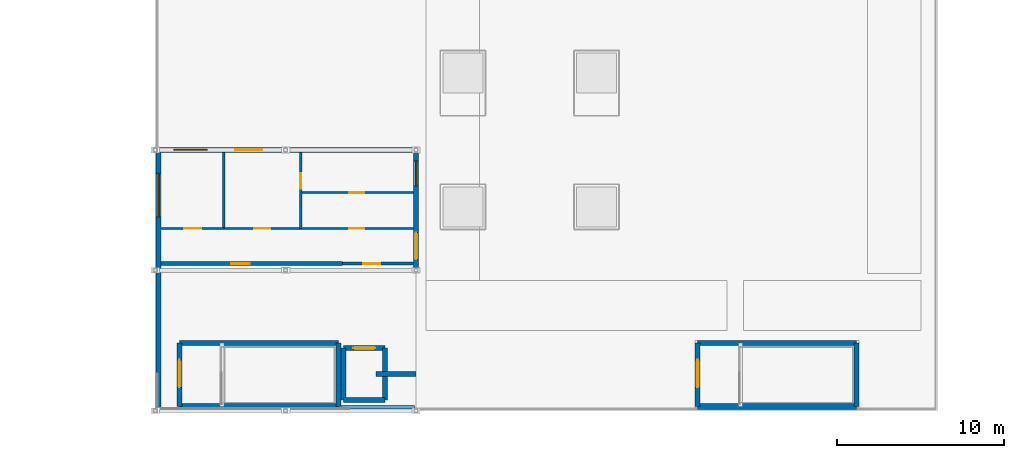
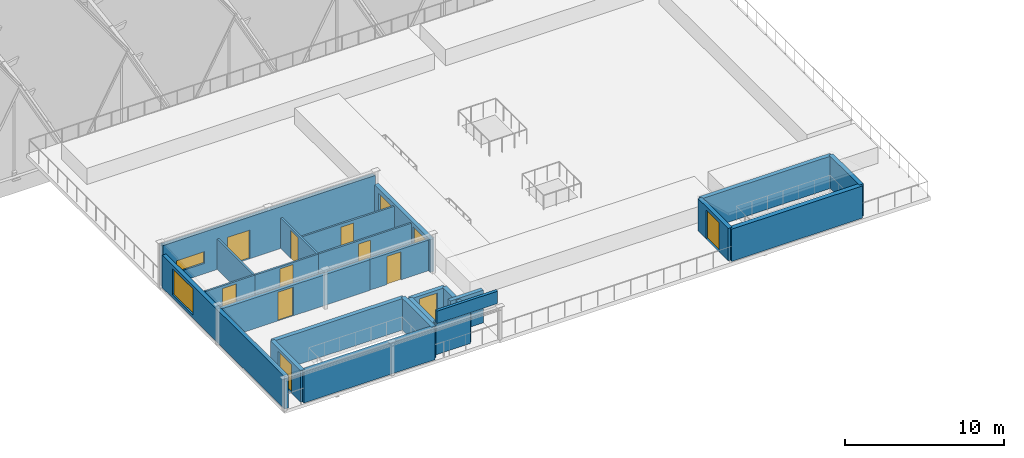
# One storey, part 35 of 39: 25 walls, 12 doors, 3 windows, 15 openings.
"""IFC4 building model written with IfcOpenShell, lengths in metres."""

import ifcopenshell
import ifcopenshell.guid

model = None  # the IFC model being written
_history = None  # IfcOwnerHistory: only IFC2X3 demands one
_inside = {}  # id of a spatial element -> (the spatial element, [elements in it])
_under = {}  # id of a project, library or spatial element -> (it, [spatial elements below it])
_declared = {}  # id of a project -> (the project, [libraries it declares])
_typed = {}  # id of a type object -> (the type object, [elements of that type])
_made_of = {}  # id of a material, layer set ... -> (it, [elements and type objects made of it])


def new_model(schema):
    """Start an empty IFC model of exactly this schema.

    Asked for "IFC4X3", IfcOpenShell would pick the latest addendum, in which some entities
    have other attributes; the version numbers below select the first issue.
    IFC2X3 requires an IfcOwnerHistory on every rooted entity: one is made here for all.
    """
    global model, _history
    if schema == "IFC4X3":
        model = ifcopenshell.file(schema_version=(4, 3, 0, 0))
    else:
        model = ifcopenshell.file(schema=schema)
    _inside.clear()
    _under.clear()
    _declared.clear()
    _typed.clear()
    _made_of.clear()
    _history = None
    if model.schema == "IFC2X3":
        org = make("IfcOrganization", Name="unknown")
        user = make(
            "IfcPersonAndOrganization",
            ThePerson=make("IfcPerson", FamilyName="unknown"),
            TheOrganization=org,
        )
        app = make(
            "IfcApplication",
            ApplicationDeveloper=org,
            Version="unknown",
            ApplicationFullName="unknown",
            ApplicationIdentifier="unknown",
        )
        _history = make(
            "IfcOwnerHistory",
            OwningUser=user,
            OwningApplication=app,
            ChangeAction="ADDED",
            CreationDate=0,
        )
    return model


def make(cls, **values):
    """One entity of the class cls with the attributes given. An attribute that is None is left unset."""
    return model.create_entity(
        cls, **{name: value for name, value in values.items() if value is not None}
    )


def rooted(cls, **values):
    """An entity with a GlobalId (a new one), such as an element, a storey or a relation."""
    return make(cls, GlobalId=ifcopenshell.guid.new(), OwnerHistory=_history, **values)


def si_unit(unit_type, name, prefix=None):
    """IfcSIUnit, for example si_unit("LENGTHUNIT", "METRE", prefix="MILLI")."""
    return make("IfcSIUnit", UnitType=unit_type, Prefix=prefix, Name=name)


def assignment(units):
    """IfcUnitAssignment: the units of a project."""
    return None if units is None else make("IfcUnitAssignment", Units=units)


def point(xyz):
    """IfcCartesianPoint."""
    return None if xyz is None else make("IfcCartesianPoint", Coordinates=xyz)


def direction(xyz):
    """IfcDirection."""
    return None if xyz is None else make("IfcDirection", DirectionRatios=xyz)


def frame(location, z_axis=None, x_axis=None):
    """IfcAxis2Placement3D, a coordinate frame: its origin and axes. An axis left out is left unset."""
    return make(
        "IfcAxis2Placement3D",
        Location=point(location),
        Axis=direction(z_axis),
        RefDirection=direction(x_axis),
    )


def frame_2d(location, x_axis=None):
    """IfcAxis2Placement2D, a coordinate frame in the plane: its origin and x axis."""
    return make(
        "IfcAxis2Placement2D", Location=point(location), RefDirection=direction(x_axis)
    )


def origin():
    """The frame at (0, 0, 0) with its axes left unset."""
    return frame((0.0, 0.0, 0.0))


def place(relative_to, where):
    """IfcLocalPlacement: puts the frame where relative to a parent placement (None: the world)."""
    return make(
        "IfcLocalPlacement", PlacementRelTo=relative_to, RelativePlacement=where
    )


def context(
    kind, dimensions, precision=None, world=None, true_north=None, identifier=None
):
    """IfcGeometricRepresentationContext, for example the 3D "Model" context."""
    return make(
        "IfcGeometricRepresentationContext",
        ContextIdentifier=identifier,
        ContextType=kind,
        CoordinateSpaceDimension=dimensions,
        Precision=precision,
        WorldCoordinateSystem=world,
        TrueNorth=true_north,
    )


def subcontext(parent, identifier, kind, view, scale=None):
    """IfcGeometricRepresentationSubContext, for example "Body" below "Model"."""
    return make(
        "IfcGeometricRepresentationSubContext",
        ContextIdentifier=identifier,
        ContextType=kind,
        ParentContext=parent,
        TargetScale=scale,
        TargetView=view,
    )


def project(units=None, contexts=None):
    """IfcProject with its units and contexts."""
    return rooted(
        "IfcProject",
        Name="project",
        RepresentationContexts=contexts,
        UnitsInContext=assignment(units),
    )


def spatial(cls, under=None, at=None, **own):
    """A site, building, storey or space (cls), placed at a placement, below another one or the project."""
    s = rooted(cls, ObjectPlacement=at, **own)
    if under is not None:
        _under.setdefault(under.id(), (under, []))[1].append(s)
    return s


def profile(cls, at=None, kind="AREA", **sizes):
    """A parametric profile (cls). Its sizes go by their IFC names, for example OverallWidth=200.0."""
    return make(cls, ProfileType=kind, Position=at, **sizes)


def rectangle(**sizes):
    """IfcRectangleProfileDef."""
    return profile("IfcRectangleProfileDef", **sizes)


def extrude(swept, where, along, depth):
    """IfcExtrudedAreaSolid: the profile swept, set in the frame where, extruded along a direction by depth."""
    return make(
        "IfcExtrudedAreaSolid",
        SweptArea=swept,
        Position=where,
        ExtrudedDirection=direction(along),
        Depth=depth,
    )


def shape(context_of_items, identifier, shape_type, items):
    """IfcShapeRepresentation: the items that make up one representation, for example the "Body"."""
    return make(
        "IfcShapeRepresentation",
        ContextOfItems=context_of_items,
        RepresentationIdentifier=identifier,
        RepresentationType=shape_type,
        Items=items,
    )


def material(Name=None, Category=None):
    """IfcMaterial."""
    return make("IfcMaterial", Name=Name, Category=Category)


def layer(
    of_material, thickness, ventilated=None, Name=None, Category=None, Priority=None
):
    """IfcMaterialLayer: one layer of a wall or slab, of a material (None: an air gap)."""
    return make(
        "IfcMaterialLayer",
        Material=of_material,
        LayerThickness=thickness,
        IsVentilated=ventilated,
        Name=Name,
        Category=Category,
        Priority=Priority,
    )


def layer_set(layers, Name=None):
    """IfcMaterialLayerSet."""
    return make("IfcMaterialLayerSet", MaterialLayers=layers, LayerSetName=Name)


def made_of(thing, what):
    """Note that an element or type object is made of a material, layer set ...; save() writes the relation."""
    if what is not None:
        _made_of.setdefault(what.id(), (what, []))[1].append(thing)
    return thing


def type_object(cls, material=None, **own):
    """A type object (cls), such as IfcWallType, which elements share."""
    return made_of(rooted(cls, **own), material)


def element(
    cls,
    number,
    at=None,
    inside=None,
    cuts=None,
    type_object=None,
    material=None,
    context=None,
    identifier="Body",
    shape_type=None,
    held_by="IfcProductDefinitionShape",
    body=None,
    shapes=None,
    **own,
):
    """One element of the class cls, such as IfcWall. Its Tag is "e" and its number.

    at: its placement. inside: the storey or other place that contains it. cuts: it is an
    opening in that element (IfcRelVoidsElement). A single representation is given by context,
    identifier, shape_type and body (its items); several are given by shapes. held_by: the class
    of the entity that holds the representations. save() writes the other relations.
    """
    e = rooted(cls, Tag="e%d" % number, ObjectPlacement=at, **own)
    if body is not None:
        shapes = [shape(context, identifier, shape_type, body)]
    if shapes is not None:
        e.Representation = make(held_by, Representations=shapes)
    if inside is not None:
        _inside.setdefault(inside.id(), (inside, []))[1].append(e)
    if cuts is not None:
        rooted(
            "IfcRelVoidsElement", RelatingBuildingElement=cuts, RelatedOpeningElement=e
        )
    if type_object is not None:
        _typed.setdefault(type_object.id(), (type_object, []))[1].append(e)
    return made_of(e, material)


def fill(opening, filler):
    """IfcRelFillsElement: the door or window that sits in an opening."""
    return rooted(
        "IfcRelFillsElement",
        RelatingOpeningElement=opening,
        RelatedBuildingElement=filler,
    )


def aggregate(whole, parts):
    """IfcRelAggregates: a whole, such as a stair, and the parts it consists of."""
    return rooted("IfcRelAggregates", RelatingObject=whole, RelatedObjects=parts)


def save(model, path):
    """Write the relations noted so far, then the file.

    IfcRelAggregates (storeys below a building ...), IfcRelContainedInSpatialStructure (elements
    in a storey), IfcRelDefinesByType, IfcRelAssociatesMaterial and IfcRelDeclares: one each for
    every whole, place, type object, material and project.
    """
    for whole, parts in _under.values():
        aggregate(whole, parts)
    for where, things in _inside.values():
        rooted(
            "IfcRelContainedInSpatialStructure",
            RelatedElements=things,
            RelatingStructure=where,
        )
    for kind, things in _typed.values():
        rooted("IfcRelDefinesByType", RelatedObjects=things, RelatingType=kind)
    for what, things in _made_of.values():
        rooted("IfcRelAssociatesMaterial", RelatedObjects=things, RelatingMaterial=what)
    for by, libraries in _declared.values():
        rooted("IfcRelDeclares", RelatingContext=by, RelatedDefinitions=libraries)
    model.write(path)


model = new_model("IFC4")

# Units and contexts
model_context = context("Model", 3, precision=1e-05, world=origin(), true_north=direction((0.0, 1.0)))
body_context = subcontext(model_context, "Body", "Model", "MODEL_VIEW")
ifc_project = project(units=[si_unit("LENGTHUNIT", "METRE"), si_unit("AREAUNIT", "SQUARE_METRE"), si_unit("VOLUMEUNIT", "CUBIC_METRE"), si_unit("PLANEANGLEUNIT", "RADIAN"), si_unit("MASSUNIT", "GRAM", prefix="KILO")], contexts=[model_context])

# Site, building, storey
site_placement = place(None, origin())
site = spatial("IfcSite", under=ifc_project, at=site_placement, CompositionType="ELEMENT")
building_placement = place(site_placement, origin())
building = spatial("IfcBuilding", under=site, at=building_placement, Name="Tizgana Railside Sports Hall", CompositionType="ELEMENT")
storey_placement = place(building_placement, frame((0.0, 0.0, 23.699951171875)))
storey = spatial("IfcBuildingStorey", under=building, at=storey_placement, Name="RF", CompositionType="ELEMENT", Elevation=23.699951171875)

# Wall
ifc_material_1 = material(Name="Concrete C40/50", Category="concrete")
ifc_layer_1 = layer(ifc_material_1, 0.300048828125, Name="Concrete C40/50")
ifc_layer_set_1 = layer_set([ifc_layer_1], Name="Concrete C40/50")
wall_type_1 = type_object("IfcWallType", Name="Core Shear Wall 300", PredefinedType="SHEAR", material=ifc_layer_set_1)
wall_1_placement = place(storey_placement, frame((9.25, 4.050048828125, 0.0), z_axis=(0.0, 0.0, 1.0), x_axis=(1.0, 0.0, 0.0)))
element("IfcWall", 1, at=wall_1_placement, inside=storey, type_object=wall_type_1, Name="RF C1 Shaft Wall N", PredefinedType="SHEAR", context=body_context, shape_type="SweptSolid", body=[
    extrude(rectangle(XDim=9.5, YDim=0.300048828125, at=frame_2d((4.75, 0.0))), origin(), (0.0, 0.0, 1.0), 2.420166015625),
])

# Wall, opening, door
wall_2_placement = place(storey_placement, frame((9.25, 0.25, 0.0), z_axis=(0.0, 0.0, 1.0), x_axis=(0.0, 1.0, 0.0)))
wall_2 = element("IfcWall", 2, at=wall_2_placement, inside=storey, type_object=wall_type_1, Name="RF C1 Shaft Wall W", PredefinedType="SHEAR", context=body_context, shape_type="SweptSolid", body=[
    extrude(rectangle(XDim=3.800048828125, YDim=0.300048828125, at=frame_2d((1.89990234375, 0.0))), origin(), (0.0, 0.0, 1.0), 2.420166015625),
])
opening_1_placement = place(wall_2_placement, frame((1.14990234375, 0.0, 0.0)))
opening_1 = element("IfcOpeningElement", 3, at=opening_1_placement, cuts=wall_2, Name="Opening D-0043", PredefinedType="OPENING", context=body_context, shape_type="SweptSolid", body=[
    extrude(rectangle(XDim=1.64990234375, YDim=2.199951171875, at=frame_2d((0.824951171875, 1.10009765625))), frame((0.0, 0.159912109375, 0.0), z_axis=(0.0, -1.0, 0.0), x_axis=(1.0, 0.0, 0.0)), (0.0, 0.0, 1.0), 0.320068359375),
])
ifc_material_2 = material(Name="Timber fire leaf", Category="wood")
door_type_1 = type_object("IfcDoorType", Name="Stair Core Double Fire Door 1650x2200", OperationType="NOTDEFINED", PredefinedType="DOOR", material=ifc_material_2)
door_1_placement = place(opening_1_placement, origin())
door_1 = element("IfcDoor", 4, at=door_1_placement, inside=storey, type_object=door_type_1, Name="RF Door D-0043", OperationType="DOUBLE_DOOR_SINGLE_SWING", OverallHeight=2.199951171875, OverallWidth=1.64990234375, PredefinedType="DOOR", context=body_context, shape_type="SweptSolid", body=[
    extrude(rectangle(XDim=1.64990234375, YDim=2.199951171875, at=frame_2d((0.824951171875, 1.10009765625))), frame((0.0, 0.02490234375, 0.0), z_axis=(0.0, -1.0, 0.0), x_axis=(1.0, 0.0, 0.0)), (0.0, 0.0, 1.0), 0.050048828125),
])
fill(opening_1, door_1)

# Walls
wall_3_placement = place(storey_placement, frame((18.75, 0.25, 0.0), z_axis=(0.0, 0.0, 1.0), x_axis=(0.0, 1.0, 0.0)))
element("IfcWall", 5, at=wall_3_placement, inside=storey, type_object=wall_type_1, Name="RF C1 Shaft Wall E", PredefinedType="SHEAR", context=body_context, shape_type="SweptSolid", body=[
    extrude(rectangle(XDim=3.800048828125, YDim=0.300048828125, at=frame_2d((1.89990234375, 0.0))), origin(), (0.0, 0.0, 1.0), 2.420166015625),
])
wall_4_placement = place(storey_placement, frame((19.050048828125, 0.64990234375, 0.0), z_axis=(0.0, 0.0, 1.0), x_axis=(1.0, 0.0, 0.0)))
element("IfcWall", 6, at=wall_4_placement, inside=storey, type_object=wall_type_1, Name="RF LF-01 Shaft Wall S", PredefinedType="SHEAR", context=body_context, shape_type="SweptSolid", body=[
    extrude(rectangle(XDim=2.5, YDim=0.300048828125, at=frame_2d((1.25, 0.0))), origin(), (0.0, 0.0, 1.0), 2.420166015625),
])

# Wall, opening, door
wall_5_placement = place(storey_placement, frame((19.050048828125, 3.75, 0.0), z_axis=(0.0, 0.0, 1.0), x_axis=(1.0, 0.0, 0.0)))
wall_5 = element("IfcWall", 7, at=wall_5_placement, inside=storey, type_object=wall_type_1, Name="RF LF-01 Shaft Wall N", PredefinedType="SHEAR", context=body_context, shape_type="SweptSolid", body=[
    extrude(rectangle(XDim=2.5, YDim=0.300048828125, at=frame_2d((1.25, 0.0))), origin(), (0.0, 0.0, 1.0), 2.420166015625),
])
opening_2_placement = place(wall_5_placement, frame((0.60009765625, 0.0, 0.0)))
opening_2 = element("IfcOpeningElement", 8, at=opening_2_placement, cuts=wall_5, Name="Opening D-0049", PredefinedType="OPENING", context=body_context, shape_type="SweptSolid", body=[
    extrude(rectangle(XDim=1.300048828125, YDim=2.199951171875, at=frame_2d((0.64990234375, 1.10009765625))), frame((0.0, 0.159912109375, 0.0), z_axis=(0.0, -1.0, 0.0), x_axis=(1.0, 0.0, 0.0)), (0.0, 0.0, 1.0), 0.320068359375),
])
ifc_material_3 = material(Name="Brushed stainless steel", Category="steel")
door_type_2 = type_object("IfcDoorType", Name="Stretcher Lift Sliding Door 1300x2200", OperationType="NOTDEFINED", PredefinedType="DOOR", material=ifc_material_3)
door_2_placement = place(opening_2_placement, origin())
door_2 = element("IfcDoor", 9, at=door_2_placement, inside=storey, type_object=door_type_2, Name="RF Door D-0049", OperationType="DOUBLE_DOOR_SLIDING", OverallHeight=2.199951171875, OverallWidth=1.300048828125, PredefinedType="DOOR", context=body_context, shape_type="SweptSolid", body=[
    extrude(rectangle(XDim=1.300048828125, YDim=2.199951171875, at=frame_2d((0.64990234375, 1.10009765625))), frame((0.0, 0.02490234375, 0.0), z_axis=(0.0, -1.0, 0.0), x_axis=(1.0, 0.0, 0.0)), (0.0, 0.0, 1.0), 0.050048828125),
])
fill(opening_2, door_2)

# Walls
for number, where, z_axis, x_axis, name in (
    (10, (19.050048828125, 0.64990234375, 0.0), (0.0, 0.0, 1.0), (0.0, 1.0, 0.0), "RF LF-01 Shaft Wall W"),
    (11, (21.550048828125, 0.64990234375, 0.0), (0.0, 0.0, 1.0), (0.0, 1.0, 0.0), "RF LF-01 Shaft Wall E"),
):
    element("IfcWall", number, at=place(storey_placement, frame(where, z_axis=z_axis, x_axis=x_axis)), inside=storey, type_object=wall_type_1, Name=name, PredefinedType="SHEAR", context=body_context, shape_type="SweptSolid", body=[
        extrude(rectangle(XDim=3.10009765625, YDim=0.300048828125, at=frame_2d((1.550048828125, 0.0))), origin(), (0.0, 0.0, 1.0), 2.420166015625),
    ])
wall_6_placement = place(storey_placement, frame((40.25, 4.050048828125, 0.0), z_axis=(0.0, 0.0, 1.0), x_axis=(1.0, 0.0, 0.0)))
element("IfcWall", 12, at=wall_6_placement, inside=storey, type_object=wall_type_1, Name="RF C2 Shaft Wall N", PredefinedType="SHEAR", context=body_context, shape_type="SweptSolid", body=[
    extrude(rectangle(XDim=9.5, YDim=0.300048828125, at=frame_2d((4.75, 0.0))), origin(), (0.0, 0.0, 1.0), 2.469970703125),
])

# Wall, opening, door
wall_7_placement = place(storey_placement, frame((40.25, 0.25, 0.0), z_axis=(0.0, 0.0, 1.0), x_axis=(0.0, 1.0, 0.0)))
wall_7 = element("IfcWall", 13, at=wall_7_placement, inside=storey, type_object=wall_type_1, Name="RF C2 Shaft Wall W", PredefinedType="SHEAR", context=body_context, shape_type="SweptSolid", body=[
    extrude(rectangle(XDim=3.800048828125, YDim=0.300048828125, at=frame_2d((1.89990234375, 0.0))), origin(), (0.0, 0.0, 1.0), 2.469970703125),
])
opening_3_placement = place(wall_7_placement, frame((1.14990234375, 0.0, 0.0)))
opening_3 = element("IfcOpeningElement", 14, at=opening_3_placement, cuts=wall_7, Name="Opening D-0056", PredefinedType="OPENING", context=body_context, shape_type="SweptSolid", body=[
    extrude(rectangle(XDim=1.64990234375, YDim=2.199951171875, at=frame_2d((0.824951171875, 1.10009765625))), frame((0.0, 0.159912109375, 0.0), z_axis=(0.0, -1.0, 0.0), x_axis=(1.0, 0.0, 0.0)), (0.0, 0.0, 1.0), 0.320068359375),
])
door_3_placement = place(opening_3_placement, origin())
door_3 = element("IfcDoor", 15, at=door_3_placement, inside=storey, type_object=door_type_1, Name="RF Door D-0056", OperationType="DOUBLE_DOOR_SINGLE_SWING", OverallHeight=2.199951171875, OverallWidth=1.64990234375, PredefinedType="DOOR", context=body_context, shape_type="SweptSolid", body=[
    extrude(rectangle(XDim=1.64990234375, YDim=2.199951171875, at=frame_2d((0.824951171875, 1.10009765625))), frame((0.0, 0.02490234375, 0.0), z_axis=(0.0, -1.0, 0.0), x_axis=(1.0, 0.0, 0.0)), (0.0, 0.0, 1.0), 0.050048828125),
])
fill(opening_3, door_3)

# Walls
wall_8_placement = place(storey_placement, frame((49.75, 0.25, 0.0), z_axis=(0.0, 0.0, 1.0), x_axis=(0.0, 1.0, 0.0)))
element("IfcWall", 16, at=wall_8_placement, inside=storey, type_object=wall_type_1, Name="RF C2 Shaft Wall E", PredefinedType="SHEAR", context=body_context, shape_type="SweptSolid", body=[
    extrude(rectangle(XDim=3.800048828125, YDim=0.300048828125, at=frame_2d((1.89990234375, 0.0))), origin(), (0.0, 0.0, 1.0), 2.469970703125),
])
ifc_material_4 = material(Name="Concrete C35/45", Category="concrete")
ifc_layer_2 = layer(ifc_material_4, 0.340087890625, Name="Concrete C35/45")
ifc_layer_set_2 = layer_set([ifc_layer_2], Name="Concrete C35/45")
wall_type_2 = type_object("IfcWallType", Name="Exterior Insulated Concrete Wall 340", PredefinedType="STANDARD", material=ifc_layer_set_2)
wall_9_placement = place(storey_placement, frame((18.75, 0.25, 0.0), z_axis=(0.0, 0.0, 1.0), x_axis=(-1.0, 0.0, 0.0)))
element("IfcWall", 17, at=wall_9_placement, inside=storey, type_object=wall_type_2, Name="RF C1 Shaft Wall S", PredefinedType="STANDARD", context=body_context, shape_type="SweptSolid", body=[
    extrude(rectangle(XDim=9.5, YDim=0.340087890625, at=frame_2d((4.75, 0.0))), origin(), (0.0, 0.0, 1.0), 2.420166015625),
])
wall_10_placement = place(storey_placement, frame((49.75, 0.25, 0.0), z_axis=(0.0, 0.0, 1.0), x_axis=(-1.0, 0.0, 0.0)))
element("IfcWall", 18, at=wall_10_placement, inside=storey, type_object=wall_type_2, Name="RF C2 Shaft Wall S", PredefinedType="STANDARD", context=body_context, shape_type="SweptSolid", body=[
    extrude(rectangle(XDim=9.5, YDim=0.340087890625, at=frame_2d((4.75, 0.0))), origin(), (0.0, 0.0, 1.0), 2.469970703125),
])

# Wall, openings, window, door
ifc_material_5 = material(Name="Cross-laminated timber CL24h", Category="wood")
ifc_layer_3 = layer(ifc_material_5, 0.2900390625, Name="Cross-laminated timber CL24h")
ifc_layer_set_3 = layer_set([ifc_layer_3], Name="Cross-laminated timber CL24h")
wall_type_3 = type_object("IfcWallType", Name="Exterior Timber-Backed Wall 290", PredefinedType="STANDARD", material=ifc_layer_set_3)
wall_11_placement = place(storey_placement, frame((23.39990234375, 15.5, 0.0), z_axis=(0.0, 0.0, 1.0), x_axis=(0.0, -1.0, 0.0)))
wall_11 = element("IfcWall", 19, at=wall_11_placement, inside=storey, type_object=wall_type_3, Name="RF Exterior Wall EWAL-0130", PredefinedType="STANDARD", context=body_context, shape_type="SweptSolid", body=[
    extrude(rectangle(XDim=7.0, YDim=0.2900390625, at=frame_2d((3.5, 0.0))), origin(), (0.0, 0.0, 1.0), 2.5),
])
opening_4_placement = place(wall_11_placement, frame((4.85009765625, 0.0, 0.0)))
opening_4 = element("IfcOpeningElement", 20, at=opening_4_placement, cuts=wall_11, Name="Opening D-0031", PredefinedType="OPENING", context=body_context, shape_type="SweptSolid", body=[
    extrude(rectangle(XDim=1.60009765625, YDim=2.199951171875, at=frame_2d((0.800048828125, 1.10009765625))), frame((0.0, 0.155029296875, 0.0), z_axis=(0.0, -1.0, 0.0), x_axis=(1.0, 0.0, 0.0)), (0.0, 0.0, 1.0), 0.31005859375),
])
opening_5_placement = place(wall_11_placement, frame((0.550048828125, 0.0, 0.550048828125)))
opening_5 = element("IfcOpeningElement", 21, at=opening_5_placement, cuts=wall_11, Name="Opening W-0094", PredefinedType="OPENING", context=body_context, shape_type="SweptSolid", body=[
    extrude(rectangle(XDim=1.5, YDim=1.60009765625, at=frame_2d((0.75, 0.800048828125))), frame((0.0, 0.155029296875, 0.0), z_axis=(0.0, -1.0, 0.0), x_axis=(1.0, 0.0, 0.0)), (0.0, 0.0, 1.0), 0.31005859375),
])
ifc_material_6 = material(Name="Double low-E laminated glass", Category="glass")
window_type_1 = type_object("IfcWindowType", Name="Referees Suite Window 1500x1600", PartitioningType="SINGLE_PANEL", PredefinedType="WINDOW", material=ifc_material_6)
window_1_placement = place(opening_5_placement, origin())
window_1 = element("IfcWindow", 22, at=window_1_placement, inside=storey, type_object=window_type_1, Name="RF Window W-0094", OverallHeight=1.60009765625, OverallWidth=1.5, PartitioningType="SINGLE_PANEL", PredefinedType="WINDOW", context=body_context, shape_type="SweptSolid", body=[
    extrude(rectangle(XDim=1.5, YDim=1.60009765625, at=frame_2d((0.75, 0.800048828125))), frame((0.0, 0.030029296875, 0.0), z_axis=(0.0, -1.0, 0.0), x_axis=(1.0, 0.0, 0.0)), (0.0, 0.0, 1.0), 0.06005859375),
])
fill(opening_5, window_1)
ifc_material_7 = material(Name="Anodised aluminium and glass", Category="aluminium")
door_type_3 = type_object("IfcDoorType", Name="Rooftop Track Pavilion Exit Door 1600x2200", OperationType="NOTDEFINED", PredefinedType="DOOR", material=ifc_material_7)
door_4_placement = place(opening_4_placement, origin())
door_4 = element("IfcDoor", 23, at=door_4_placement, inside=storey, type_object=door_type_3, Name="RF Door D-0031", OperationType="DOUBLE_DOOR_SINGLE_SWING", OverallHeight=2.199951171875, OverallWidth=1.60009765625, PredefinedType="DOOR", context=body_context, shape_type="SweptSolid", body=[
    extrude(rectangle(XDim=1.60009765625, YDim=2.199951171875, at=frame_2d((0.800048828125, 1.10009765625))), frame((0.0, 0.02490234375, 0.0), z_axis=(0.0, -1.0, 0.0), x_axis=(1.0, 0.0, 0.0)), (0.0, 0.0, 1.0), 0.050048828125),
])
fill(opening_4, door_4)

wall_12_placement = place(storey_placement, frame((7.89990234375, 15.60009765625, 0.0), z_axis=(0.0, 0.0, 1.0), x_axis=(1.0, 0.0, 0.0)))
wall_12 = element("IfcWall", 24, at=wall_12_placement, inside=storey, type_object=wall_type_3, Name="RF Exterior Wall EWAL-0131", PredefinedType="STANDARD", context=body_context, shape_type="SweptSolid", body=[
    extrude(rectangle(XDim=15.400146484375, YDim=0.2900390625, at=frame_2d((7.7001953125, 0.0))), origin(), (0.0, 0.0, 1.0), 3.205078125),
])
opening_6_placement = place(wall_12_placement, frame((4.699951171875, 0.0, 0.0)))
opening_6 = element("IfcOpeningElement", 25, at=opening_6_placement, cuts=wall_12, Name="Opening D-0032", PredefinedType="OPENING", context=body_context, shape_type="SweptSolid", body=[
    extrude(rectangle(XDim=1.60009765625, YDim=2.199951171875, at=frame_2d((0.800048828125, 1.10009765625))), frame((0.0, 0.155029296875, 0.0), z_axis=(0.0, -1.0, 0.0), x_axis=(1.0, 0.0, 0.0)), (0.0, 0.0, 1.0), 0.31005859375),
])
opening_7_placement = place(wall_12_placement, frame((1.0, 0.0, 0.800048828125)))
opening_7 = element("IfcOpeningElement", 26, at=opening_7_placement, cuts=wall_12, Name="Opening W-0095", PredefinedType="OPENING", context=body_context, shape_type="SweptSolid", body=[
    extrude(rectangle(XDim=2.0, YDim=0.89990234375, at=frame_2d((1.0, 0.449951171875))), frame((0.0, 0.155029296875, 0.0), z_axis=(0.0, -1.0, 0.0), x_axis=(1.0, 0.0, 0.0)), (0.0, 0.0, 1.0), 0.31005859375),
])
window_type_2 = type_object("IfcWindowType", Name="Changing High-Level Window 2000x900", PartitioningType="SINGLE_PANEL", PredefinedType="WINDOW", material=ifc_material_6)
window_2_placement = place(opening_7_placement, origin())
window_2 = element("IfcWindow", 27, at=window_2_placement, inside=storey, type_object=window_type_2, Name="RF Window W-0095", OverallHeight=0.89990234375, OverallWidth=2.0, PartitioningType="SINGLE_PANEL", PredefinedType="WINDOW", context=body_context, shape_type="SweptSolid", body=[
    extrude(rectangle(XDim=2.0, YDim=0.89990234375, at=frame_2d((1.0, 0.449951171875))), frame((0.0, 0.030029296875, 0.0), z_axis=(0.0, -1.0, 0.0), x_axis=(1.0, 0.0, 0.0)), (0.0, 0.0, 1.0), 0.06005859375),
])
fill(opening_7, window_2)
door_5_placement = place(opening_6_placement, origin())
door_5 = element("IfcDoor", 28, at=door_5_placement, inside=storey, type_object=door_type_3, Name="RF Door D-0032", OperationType="DOUBLE_DOOR_SINGLE_SWING", OverallHeight=2.199951171875, OverallWidth=1.60009765625, PredefinedType="DOOR", context=body_context, shape_type="SweptSolid", body=[
    extrude(rectangle(XDim=1.60009765625, YDim=2.199951171875, at=frame_2d((0.800048828125, 1.10009765625))), frame((0.0, 0.02490234375, 0.0), z_axis=(0.0, -1.0, 0.0), x_axis=(1.0, 0.0, 0.0)), (0.0, 0.0, 1.0), 0.050048828125),
])
fill(opening_6, door_5)

# Wall
wall_13_placement = place(storey_placement, frame((23.39990234375, 2.199951171875, 0.0), z_axis=(0.0, 0.0, 1.0), x_axis=(-1.0, 0.0, 0.0)))
element("IfcWall", 29, at=wall_13_placement, inside=storey, type_object=wall_type_3, Name="RF Exterior Wall EWAL-0132", PredefinedType="STANDARD", context=body_context, shape_type="SweptSolid", body=[
    extrude(rectangle(XDim=2.39990234375, YDim=0.2900390625, at=frame_2d((1.199951171875, 0.0))), origin(), (0.0, 0.0, 1.0), 2.5),
])

# Wall, opening, window
wall_14_placement = place(storey_placement, frame((8.0, 0.10009765625, 0.0), z_axis=(0.0, 0.0, 1.0), x_axis=(0.0, 1.0, 0.0)))
wall_14 = element("IfcWall", 30, at=wall_14_placement, inside=storey, type_object=wall_type_3, Name="RF Exterior Wall EWAL-0133", PredefinedType="STANDARD", context=body_context, shape_type="SweptSolid", body=[
    extrude(rectangle(XDim=15.39990234375, YDim=0.2900390625, at=frame_2d((7.699951171875, 0.0))), origin(), (0.0, 0.0, 1.0), 2.5),
])
opening_8_placement = place(wall_14_placement, frame((11.5, 0.0, 0.25)))
opening_8 = element("IfcOpeningElement", 31, at=opening_8_placement, cuts=wall_14, Name="Opening W-0096", PredefinedType="OPENING", context=body_context, shape_type="SweptSolid", body=[
    extrude(rectangle(XDim=2.60009765625, YDim=2.0, at=frame_2d((1.300048828125, 1.0))), frame((0.0, 0.155029296875, 0.0), z_axis=(0.0, -1.0, 0.0), x_axis=(1.0, 0.0, 0.0)), (0.0, 0.0, 1.0), 0.31005859375),
])
window_type_3 = type_object("IfcWindowType", Name="Track Pavilion Window 2600x2000", PartitioningType="SINGLE_PANEL", PredefinedType="WINDOW", material=ifc_material_6)
window_3_placement = place(opening_8_placement, origin())
window_3 = element("IfcWindow", 32, at=window_3_placement, inside=storey, type_object=window_type_3, Name="RF Window W-0096", OverallHeight=2.0, OverallWidth=2.60009765625, PartitioningType="SINGLE_PANEL", PredefinedType="WINDOW", context=body_context, shape_type="SweptSolid", body=[
    extrude(rectangle(XDim=2.60009765625, YDim=2.0, at=frame_2d((1.300048828125, 1.0))), frame((0.0, 0.030029296875, 0.0), z_axis=(0.0, -1.0, 0.0), x_axis=(1.0, 0.0, 0.0)), (0.0, 0.0, 1.0), 0.06005859375),
])
fill(opening_8, window_3)

# Wall, opening, door
ifc_layer_4 = layer(ifc_material_4, 0.239990234375, Name="Concrete C35/45")
ifc_layer_set_4 = layer_set([ifc_layer_4], Name="Concrete C35/45")
wall_type_4 = type_object("IfcWallType", Name="Firefighting Lobby Wall 240", PredefinedType="STANDARD", material=ifc_layer_set_4)
wall_15_placement = place(storey_placement, frame((8.14990234375, 8.800048828125, 0.0), z_axis=(0.0, 0.0, 1.0), x_axis=(1.0, 0.0, 0.0)))
wall_15 = element("IfcWall", 33, at=wall_15_placement, inside=storey, type_object=wall_type_4, Name="RF Partition PWAL-0308", PredefinedType="STANDARD", context=body_context, shape_type="SweptSolid", body=[
    extrude(rectangle(XDim=10.85009765625, YDim=0.239990234375, at=frame_2d((5.425048828125, 0.0))), origin(), (0.0, 0.0, 1.0), 2.35009765625),
])
opening_9_placement = place(wall_15_placement, frame((4.199951171875, 0.0, 0.0)))
opening_9 = element("IfcOpeningElement", 34, at=opening_9_placement, cuts=wall_15, Name="Opening D-0286", PredefinedType="OPENING", context=body_context, shape_type="SweptSolid", body=[
    extrude(rectangle(XDim=1.10009765625, YDim=2.199951171875, at=frame_2d((0.550048828125, 1.10009765625))), frame((0.0, 0.1298828125, 0.0), z_axis=(0.0, -1.0, 0.0), x_axis=(1.0, 0.0, 0.0)), (0.0, 0.0, 1.0), 0.260009765625),
])
door_type_4 = type_object("IfcDoorType", Name="Firefighting Lobby Fire Door 1100x2200", OperationType="NOTDEFINED", PredefinedType="DOOR", material=ifc_material_2)
door_6_placement = place(opening_9_placement, origin())
door_6 = element("IfcDoor", 35, at=door_6_placement, inside=storey, type_object=door_type_4, Name="RF Door D-0286", OperationType="SINGLE_SWING_LEFT", OverallHeight=2.199951171875, OverallWidth=1.10009765625, PredefinedType="DOOR", context=body_context, shape_type="SweptSolid", body=[
    extrude(rectangle(XDim=1.10009765625, YDim=2.199951171875, at=frame_2d((0.550048828125, 1.10009765625))), frame((0.0, 0.02490234375, 0.0), z_axis=(0.0, -1.0, 0.0), x_axis=(1.0, 0.0, 0.0)), (0.0, 0.0, 1.0), 0.050048828125),
])
fill(opening_9, door_6)

ifc_material_8 = material(Name="Acoustic gypsum stud")
ifc_layer_5 = layer(ifc_material_8, 0.1298828125, Name="Acoustic gypsum stud")
ifc_layer_set_5 = layer_set([ifc_layer_5], Name="Acoustic gypsum stud")
wall_type_5 = type_object("IfcWallType", Name="General Interior Partition 130", PredefinedType="STANDARD", material=ifc_layer_set_5)
wall_16_placement = place(storey_placement, frame((16.5, 10.89990234375, 0.0), z_axis=(0.0, 0.0, 1.0), x_axis=(0.0, 1.0, 0.0)))
wall_16 = element("IfcWall", 36, at=wall_16_placement, inside=storey, type_object=wall_type_5, Name="RF Partition PWAL-0331", PredefinedType="STANDARD", context=body_context, shape_type="SweptSolid", body=[
    extrude(rectangle(XDim=4.550048828125, YDim=0.1298828125, at=frame_2d((2.27490234375, 0.0))), origin(), (0.0, 0.0, 1.0), 2.35009765625),
])
opening_10_placement = place(wall_16_placement, frame((2.3798828125, 0.0, 0.0)))
opening_10 = element("IfcOpeningElement", 37, at=opening_10_placement, cuts=wall_16, Name="Opening D-0297", PredefinedType="OPENING", context=body_context, shape_type="SweptSolid", body=[
    extrude(rectangle(XDim=0.93994140625, YDim=2.14990234375, at=frame_2d((0.469970703125, 1.074951171875))), frame((0.0, 0.074951171875, 0.0), z_axis=(0.0, -1.0, 0.0), x_axis=(1.0, 0.0, 0.0)), (0.0, 0.0, 1.0), 0.14990234375),
])
ifc_material_9 = material(Name="Solid beech timber", Category="wood")
door_type_5 = type_object("IfcDoorType", Name="Timing Room Door 940x2150", OperationType="NOTDEFINED", PredefinedType="DOOR", material=ifc_material_9)
door_7_placement = place(opening_10_placement, origin())
door_7 = element("IfcDoor", 38, at=door_7_placement, inside=storey, type_object=door_type_5, Name="RF Door D-0297", OperationType="SINGLE_SWING_RIGHT", OverallHeight=2.14990234375, OverallWidth=0.93994140625, PredefinedType="DOOR", context=body_context, shape_type="SweptSolid", body=[
    extrude(rectangle(XDim=0.93994140625, YDim=2.14990234375, at=frame_2d((0.469970703125, 1.074951171875))), frame((0.0, 0.02490234375, 0.0), z_axis=(0.0, -1.0, 0.0), x_axis=(1.0, 0.0, 0.0)), (0.0, 0.0, 1.0), 0.050048828125),
])
fill(opening_10, door_7)

wall_17_placement = place(storey_placement, frame((16.5, 13.050048828125, 0.0), z_axis=(0.0, 0.0, 1.0), x_axis=(1.0, 0.0, 0.0)))
wall_17 = element("IfcWall", 39, at=wall_17_placement, inside=storey, type_object=wall_type_5, Name="RF Partition PWAL-0332", PredefinedType="STANDARD", context=body_context, shape_type="SweptSolid", body=[
    extrude(rectangle(XDim=6.75, YDim=0.1298828125, at=frame_2d((3.375, 0.0))), origin(), (0.0, 0.0, 1.0), 2.35009765625),
])
opening_11_placement = place(wall_17_placement, frame((2.89990234375, 0.0, 0.0)))
opening_11 = element("IfcOpeningElement", 40, at=opening_11_placement, cuts=wall_17, Name="Opening D-0298", PredefinedType="OPENING", context=body_context, shape_type="SweptSolid", body=[
    extrude(rectangle(XDim=0.89990234375, YDim=2.10009765625, at=frame_2d((0.449951171875, 1.050048828125))), frame((0.0, 0.074951171875, 0.0), z_axis=(0.0, -1.0, 0.0), x_axis=(1.0, 0.0, 0.0)), (0.0, 0.0, 1.0), 0.14990234375),
])
door_type_6 = type_object("IfcDoorType", Name="Shower Suite Door 900x2100", OperationType="NOTDEFINED", PredefinedType="DOOR", material=ifc_material_9)
door_8_placement = place(opening_11_placement, origin())
door_8 = element("IfcDoor", 41, at=door_8_placement, inside=storey, type_object=door_type_6, Name="RF Door D-0298", OperationType="SINGLE_SWING_LEFT", OverallHeight=2.10009765625, OverallWidth=0.89990234375, PredefinedType="DOOR", context=body_context, shape_type="SweptSolid", body=[
    extrude(rectangle(XDim=0.89990234375, YDim=2.10009765625, at=frame_2d((0.449951171875, 1.050048828125))), frame((0.0, 0.02490234375, 0.0), z_axis=(0.0, -1.0, 0.0), x_axis=(1.0, 0.0, 0.0)), (0.0, 0.0, 1.0), 0.050048828125),
])
fill(opening_11, door_8)

wall_18_placement = place(storey_placement, frame((8.14990234375, 10.89990234375, 0.0), z_axis=(0.0, 0.0, 1.0), x_axis=(1.0, 0.0, 0.0)))
wall_18 = element("IfcWall", 42, at=wall_18_placement, inside=storey, type_object=wall_type_5, Name="RF Partition PWAL-0333", PredefinedType="STANDARD", context=body_context, shape_type="SweptSolid", body=[
    extrude(rectangle(XDim=3.75, YDim=0.1298828125, at=frame_2d((1.875, 0.0))), origin(), (0.0, 0.0, 1.0), 2.35009765625),
])
opening_12_placement = place(wall_18_placement, frame((1.389892578125, 0.0, 0.0)))
opening_12 = element("IfcOpeningElement", 43, at=opening_12_placement, cuts=wall_18, Name="Opening D-0299", PredefinedType="OPENING", context=body_context, shape_type="SweptSolid", body=[
    extrude(rectangle(XDim=1.02001953125, YDim=2.14990234375, at=frame_2d((0.510009765625, 1.074951171875))), frame((0.0, 0.074951171875, 0.0), z_axis=(0.0, -1.0, 0.0), x_axis=(1.0, 0.0, 0.0)), (0.0, 0.0, 1.0), 0.14990234375),
])
door_type_7 = type_object("IfcDoorType", Name="Accessible Changing & WC Door 1020x2150", OperationType="NOTDEFINED", PredefinedType="DOOR", material=ifc_material_9)
door_9_placement = place(opening_12_placement, origin())
door_9 = element("IfcDoor", 44, at=door_9_placement, inside=storey, type_object=door_type_7, Name="RF Door D-0299", OperationType="SINGLE_SWING_RIGHT", OverallHeight=2.14990234375, OverallWidth=1.02001953125, PredefinedType="DOOR", context=body_context, shape_type="SweptSolid", body=[
    extrude(rectangle(XDim=1.02001953125, YDim=2.14990234375, at=frame_2d((0.510009765625, 1.074951171875))), frame((0.0, 0.02490234375, 0.0), z_axis=(0.0, -1.0, 0.0), x_axis=(1.0, 0.0, 0.0)), (0.0, 0.0, 1.0), 0.050048828125),
])
fill(opening_12, door_9)

wall_19_placement = place(storey_placement, frame((11.89990234375, 10.89990234375, 0.0), z_axis=(0.0, 0.0, 1.0), x_axis=(1.0, 0.0, 0.0)))
wall_19 = element("IfcWall", 45, at=wall_19_placement, inside=storey, type_object=wall_type_5, Name="RF Partition PWAL-0334", PredefinedType="STANDARD", context=body_context, shape_type="SweptSolid", body=[
    extrude(rectangle(XDim=4.60009765625, YDim=0.1298828125, at=frame_2d((2.300048828125, 0.0))), origin(), (0.0, 0.0, 1.0), 2.35009765625),
])
opening_13_placement = place(wall_19_placement, frame((1.820068359375, 0.0, 0.0)))
opening_13 = element("IfcOpeningElement", 46, at=opening_13_placement, cuts=wall_19, Name="Opening D-0300", PredefinedType="OPENING", context=body_context, shape_type="SweptSolid", body=[
    extrude(rectangle(XDim=0.9599609375, YDim=2.199951171875, at=frame_2d((0.47998046875, 1.10009765625))), frame((0.0, 0.074951171875, 0.0), z_axis=(0.0, -1.0, 0.0), x_axis=(1.0, 0.0, 0.0)), (0.0, 0.0, 1.0), 0.14990234375),
])
door_type_8 = type_object("IfcDoorType", Name="Coaching Office Door 960x2200", OperationType="NOTDEFINED", PredefinedType="DOOR", material=ifc_material_9)
door_10_placement = place(opening_13_placement, origin())
door_10 = element("IfcDoor", 47, at=door_10_placement, inside=storey, type_object=door_type_8, Name="RF Door D-0300", OperationType="SINGLE_SWING_LEFT", OverallHeight=2.199951171875, OverallWidth=0.9599609375, PredefinedType="DOOR", context=body_context, shape_type="SweptSolid", body=[
    extrude(rectangle(XDim=0.9599609375, YDim=2.199951171875, at=frame_2d((0.47998046875, 1.10009765625))), frame((0.0, 0.02490234375, 0.0), z_axis=(0.0, -1.0, 0.0), x_axis=(1.0, 0.0, 0.0)), (0.0, 0.0, 1.0), 0.050048828125),
])
fill(opening_13, door_10)

wall_20_placement = place(storey_placement, frame((16.5, 10.89990234375, 0.0), z_axis=(0.0, 0.0, 1.0), x_axis=(1.0, 0.0, 0.0)))
wall_20 = element("IfcWall", 48, at=wall_20_placement, inside=storey, type_object=wall_type_5, Name="RF Partition PWAL-0335", PredefinedType="STANDARD", context=body_context, shape_type="SweptSolid", body=[
    extrude(rectangle(XDim=6.75, YDim=0.1298828125, at=frame_2d((3.375, 0.0))), origin(), (0.0, 0.0, 1.0), 2.35009765625),
])
opening_14_placement = place(wall_20_placement, frame((2.89990234375, 0.0, 0.0)))
opening_14 = element("IfcOpeningElement", 49, at=opening_14_placement, cuts=wall_20, Name="Opening D-0301", PredefinedType="OPENING", context=body_context, shape_type="SweptSolid", body=[
    extrude(rectangle(XDim=0.89990234375, YDim=2.10009765625, at=frame_2d((0.449951171875, 1.050048828125))), frame((0.0, 0.074951171875, 0.0), z_axis=(0.0, -1.0, 0.0), x_axis=(1.0, 0.0, 0.0)), (0.0, 0.0, 1.0), 0.14990234375),
])
door_11_placement = place(opening_14_placement, origin())
door_11 = element("IfcDoor", 50, at=door_11_placement, inside=storey, type_object=door_type_6, Name="RF Door D-0301", OperationType="SINGLE_SWING_RIGHT", OverallHeight=2.10009765625, OverallWidth=0.89990234375, PredefinedType="DOOR", context=body_context, shape_type="SweptSolid", body=[
    extrude(rectangle(XDim=0.89990234375, YDim=2.10009765625, at=frame_2d((0.449951171875, 1.050048828125))), frame((0.0, 0.02490234375, 0.0), z_axis=(0.0, -1.0, 0.0), x_axis=(1.0, 0.0, 0.0)), (0.0, 0.0, 1.0), 0.050048828125),
])
fill(opening_14, door_11)

# Wall
wall_21_placement = place(storey_placement, frame((11.89990234375, 10.89990234375, 0.0), z_axis=(0.0, 0.0, 1.0), x_axis=(0.0, 1.0, 0.0)))
element("IfcWall", 51, at=wall_21_placement, inside=storey, type_object=wall_type_5, Name="RF Partition PWAL-0336", PredefinedType="STANDARD", context=body_context, shape_type="SweptSolid", body=[
    extrude(rectangle(XDim=4.550048828125, YDim=0.1298828125, at=frame_2d((2.27490234375, 0.0))), origin(), (0.0, 0.0, 1.0), 2.35009765625),
])

# Wall, opening, door
ifc_material_10 = material(Name="Masonry blockwork", Category="masonry")
ifc_layer_6 = layer(ifc_material_10, 0.179931640625, Name="Masonry blockwork")
ifc_layer_set_6 = layer_set([ifc_layer_6], Name="Masonry blockwork")
wall_type_6 = type_object("IfcWallType", Name="Riser and Shaft Wall 180", PredefinedType="STANDARD", material=ifc_layer_set_6)
wall_22_placement = place(storey_placement, frame((19.0, 8.800048828125, 0.0), z_axis=(0.0, 0.0, 1.0), x_axis=(1.0, 0.0, 0.0)))
wall_22 = element("IfcWall", 52, at=wall_22_placement, inside=storey, type_object=wall_type_6, Name="RF Partition PWAL-0309", PredefinedType="STANDARD", context=body_context, shape_type="SweptSolid", body=[
    extrude(rectangle(XDim=4.25, YDim=0.179931640625, at=frame_2d((2.125, 0.0))), origin(), (0.0, 0.0, 1.0), 2.35009765625),
])
opening_15_placement = place(wall_22_placement, frame((1.239990234375, 0.0, 0.0)))
opening_15 = element("IfcOpeningElement", 53, at=opening_15_placement, cuts=wall_22, Name="Opening D-0287", PredefinedType="OPENING", context=body_context, shape_type="SweptSolid", body=[
    extrude(rectangle(XDim=1.02001953125, YDim=2.14990234375, at=frame_2d((0.510009765625, 1.074951171875))), frame((0.0, 0.099853515625, 0.0), z_axis=(0.0, -1.0, 0.0), x_axis=(1.0, 0.0, 0.0)), (0.0, 0.0, 1.0), 0.199951171875),
])
door_12_placement = place(opening_15_placement, origin())
door_12 = element("IfcDoor", 54, at=door_12_placement, inside=storey, type_object=door_type_7, Name="RF Door D-0287", OperationType="SINGLE_SWING_RIGHT", OverallHeight=2.14990234375, OverallWidth=1.02001953125, PredefinedType="DOOR", context=body_context, shape_type="SweptSolid", body=[
    extrude(rectangle(XDim=1.02001953125, YDim=2.14990234375, at=frame_2d((0.510009765625, 1.074951171875))), frame((0.0, 0.02490234375, 0.0), z_axis=(0.0, -1.0, 0.0), x_axis=(1.0, 0.0, 0.0)), (0.0, 0.0, 1.0), 0.050048828125),
])
fill(opening_15, door_12)

# Wall
ifc_layer_7 = layer(ifc_material_4, 0.2099609375, Name="Concrete C35/45")
ifc_layer_set_7 = layer_set([ifc_layer_7], Name="Concrete C35/45")
wall_type_7 = type_object("IfcWallType", Name="Roof Parapet Upstand 210", PredefinedType="PARAPET", material=ifc_layer_set_7)
wall_23_placement = place(storey_placement, frame((18.905029296875, 0.199951171875, 2.699951171875), z_axis=(0.0, 0.0, 1.0), x_axis=(1.0, 0.0, 0.0)))
element("IfcWall", 55, at=wall_23_placement, inside=storey, type_object=wall_type_7, Name="RF Parapet PAR-0004", PredefinedType="PARAPET", context=body_context, shape_type="SweptSolid", body=[
    extrude(rectangle(XDim=4.39501953125, YDim=0.2099609375, at=frame_2d((2.197509765625, 0.0))), origin(), (0.0, 0.0, 1.0), 0.9501953125),
])

save(model, "model.ifc")
